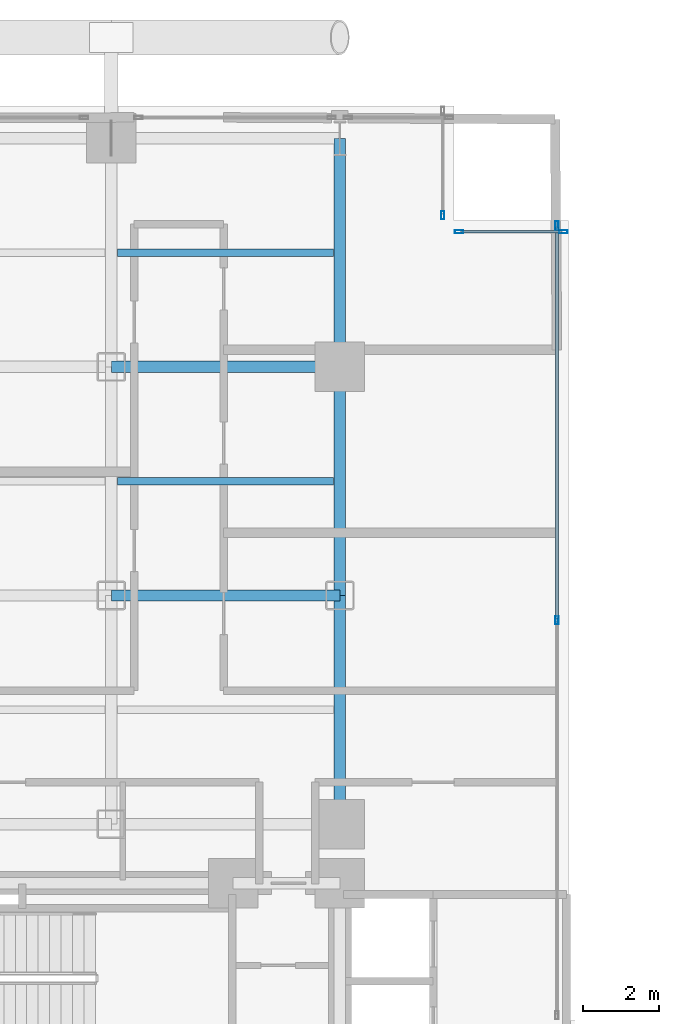
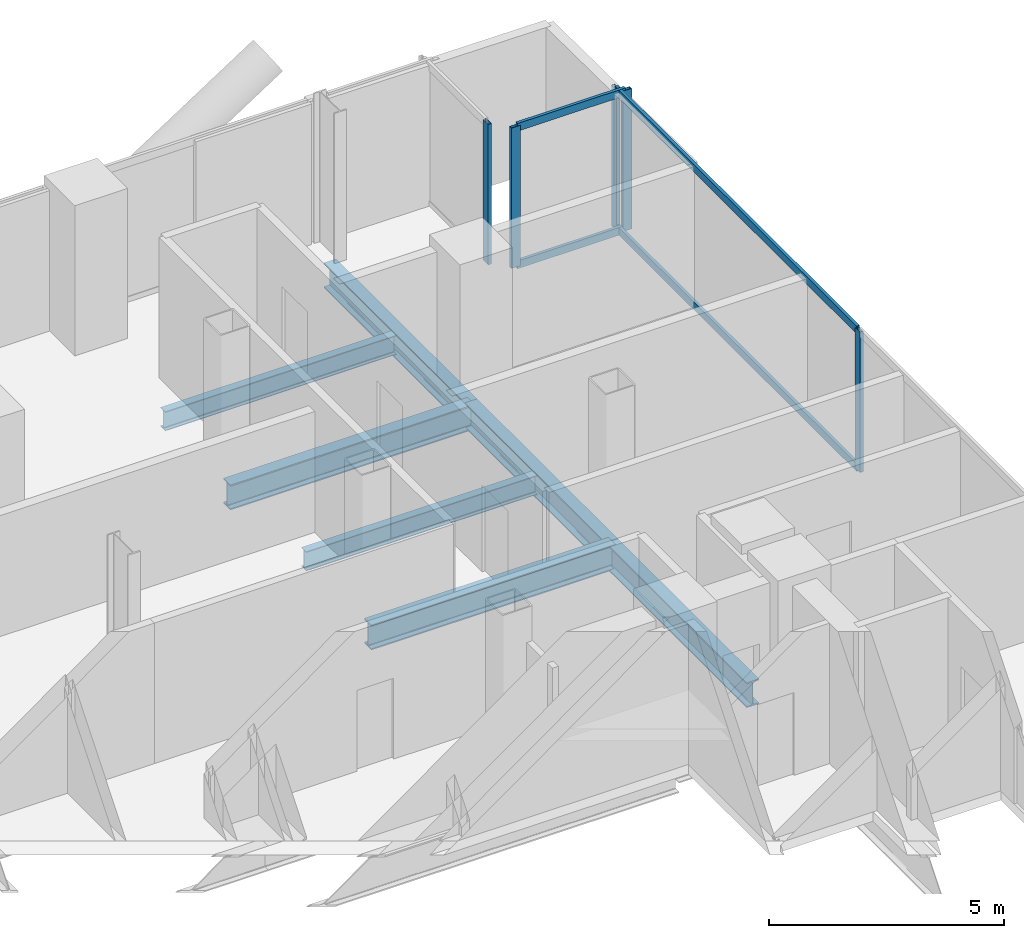
# One storey, part 15 of 25: 9 members, 7 beams, 3 elements without a shape of their own.
"""IFC4 building model written with IfcOpenShell, lengths in metres."""

from ifc_helpers import new_model, si_unit, direction, frame, origin, origin_2d, place, context, subcontext, project, spatial, hollow_rectangle, i_section, extrude, material, layer, layer_set, material_profile, profile_set, type_object, element, aggregate, save


model = new_model("IFC4")

# Units and contexts
model_context = context("Model", 3, precision=1e-05, world=origin(), true_north=direction((0.0, 1.0)))
body_context = subcontext(model_context, "Body", "Model", "MODEL_VIEW")
ifc_project = project(units=[si_unit("LENGTHUNIT", "METRE"), si_unit("AREAUNIT", "SQUARE_METRE"), si_unit("VOLUMEUNIT", "CUBIC_METRE"), si_unit("PLANEANGLEUNIT", "RADIAN"), si_unit("MASSUNIT", "GRAM", prefix="KILO"), si_unit("THERMODYNAMICTEMPERATUREUNIT", "KELVIN"), si_unit("POWERUNIT", "WATT")], contexts=[model_context])

# Site, building, storey
site_placement = place(None, origin())
site = spatial("IfcSite", under=ifc_project, at=site_placement, CompositionType="ELEMENT")
building_placement = place(site_placement, origin())
building = spatial("IfcBuilding", under=site, at=building_placement, Name="Svarakhadi Broadcast Tower", CompositionType="ELEMENT")
storey_placement = place(building_placement, frame((0.0, 0.0, 83.10009765625)))
storey = spatial("IfcBuildingStorey", under=building, at=storey_placement, Name="L19", CompositionType="ELEMENT", Elevation=83.10009765625)

# Beams
ifc_material_1 = material(Name="Steel S355J2 (IS 2062 E350C)", Category="steel")
ifc_material_profile_1 = material_profile(ifc_material_1, i_section(OverallWidth=0.199951171875, OverallDepth=0.5, WebThickness=0.01025390625, FlangeThickness=0.01611328125, FilletRadius=0.02099609375, at=origin_2d()), Name="NPB 500x200x91")
ifc_profile_set_1 = profile_set([ifc_material_profile_1], Name="Steel S355J2 (IS 2062 E350C)")
beam_type_1 = type_object("IfcBeamType", Name="Beam_NPB500", PredefinedType="BEAM", material=ifc_profile_set_1)
for number, where, z_axis, x_axis, name in (
    (1, (12.159912109375, 38.14990234375, -0.5), (1.0, 0.0, 0.0), (0.0, 1.0, 0.0), "L19 Secondary Composite Beam SB017"),
    (2, (12.159912109375, 44.14990234375, -0.5), (1.0, 0.0, 0.0), (0.0, 1.0, 0.0), "L19 Secondary Composite Beam SB018"),
):
    element("IfcBeam", number, at=place(storey_placement, frame(where, z_axis=z_axis, x_axis=x_axis)), inside=storey, type_object=beam_type_1, Name=name, PredefinedType="BEAM", context=body_context, shape_type="SweptSolid", body=[
        extrude(i_section(OverallWidth=0.199951171875, OverallDepth=0.5, WebThickness=0.01025390625, FlangeThickness=0.01611328125, FilletRadius=0.02099609375, at=origin_2d()), origin(), (0.0, 0.0, 1.0), 5.68017578125),
    ])

# Curtain wall, member
ifc_material_2 = material(Name="Anodised Bronze Aluminium AA 6063-T6", Category="aluminium")
ifc_layer = layer(ifc_material_2, 0.219970703125)
ifc_layer_set = layer_set([ifc_layer], Name="Anodised Bronze Aluminium AA 6063-T6")
curtain_wall_type = type_object("IfcCurtainWallType", Name="CW_Sys_02", PredefinedType="NOTDEFINED", material=ifc_layer_set)
curtain_wall_1_placement = place(storey_placement, origin())
curtain_wall_1 = element("IfcCurtainWall", 3, at=curtain_wall_1_placement, inside=storey, type_object=curtain_wall_type, Name="L19 Unitised Facade Curtain Wall 07", PredefinedType="NOTDEFINED")
ifc_material_profile_2 = material_profile(ifc_material_2, hollow_rectangle(XDim=0.0849609375, YDim=0.219970703125, WallThickness=0.006103515625, at=origin_2d()), Name="ALU MULLION 220x85x6")
ifc_profile_set_2 = profile_set([ifc_material_profile_2], Name="Anodised Bronze Aluminium AA 6063-T6")
member_type_1 = type_object("IfcMemberType", Name="CW_Sys_02_Mul", PredefinedType="MULLION", material=ifc_profile_set_2)
member_1_placement = place(storey_placement, frame((20.699951171875, 45.132568359375, 0.0), z_axis=(0.0, 0.0, 1.0), x_axis=(1.0, 0.0, 0.0)))
member_1 = element("IfcMember", 4, at=member_1_placement, type_object=member_type_1, Name="CW-02 mullion 2", PredefinedType="MULLION", context=body_context, shape_type="SweptSolid", body=[
    extrude(hollow_rectangle(XDim=0.0849609375, YDim=0.219970703125, WallThickness=0.006103515625, at=origin_2d()), origin(), (0.0, 0.0, 1.0), 3.64990234375),
])
aggregate(curtain_wall_1, [member_1])

# Curtain wall, members
curtain_wall_2_placement = place(storey_placement, origin())
curtain_wall_2 = element("IfcCurtainWall", 5, at=curtain_wall_2_placement, inside=storey, type_object=curtain_wall_type, Name="L19 Unitised Facade Curtain Wall 08", PredefinedType="NOTDEFINED")
member_2_placement = place(storey_placement, frame((21.132568359375, 44.699951171875, 0.0), z_axis=(0.0, 0.0, 1.0), x_axis=(0.0, 1.0, 0.0)))
member_2 = element("IfcMember", 6, at=member_2_placement, type_object=member_type_1, Name="CW-02 mullion 1", PredefinedType="MULLION", context=body_context, shape_type="SweptSolid", body=[
    extrude(hollow_rectangle(XDim=0.0849609375, YDim=0.219970703125, WallThickness=0.006103515625, at=origin_2d()), origin(), (0.0, 0.0, 1.0), 3.64990234375),
])
member_3_placement = place(storey_placement, frame((23.867431640625, 44.699951171875, 0.0), z_axis=(0.0, 0.0, 1.0), x_axis=(0.0, 1.0, 0.0)))
member_3 = element("IfcMember", 7, at=member_3_placement, type_object=member_type_1, Name="CW-02 mullion 2", PredefinedType="MULLION", context=body_context, shape_type="SweptSolid", body=[
    extrude(hollow_rectangle(XDim=0.0849609375, YDim=0.219970703125, WallThickness=0.006103515625, at=origin_2d()), origin(), (0.0, 0.0, 1.0), 3.64990234375),
])

curtain_wall_3_placement = place(storey_placement, origin())
curtain_wall_3 = element("IfcCurtainWall", 8, at=curtain_wall_3_placement, inside=storey, type_object=curtain_wall_type, Name="L19 Unitised Facade Curtain Wall 09", PredefinedType="NOTDEFINED")
member_4_placement = place(storey_placement, frame((23.699951171875, 44.867431640625, 0.0), z_axis=(0.0, 0.0, 1.0), x_axis=(1.0, 0.0, 0.0)))
member_4 = element("IfcMember", 9, at=member_4_placement, type_object=member_type_1, Name="CW-02 mullion 1", PredefinedType="MULLION", context=body_context, shape_type="SweptSolid", body=[
    extrude(hollow_rectangle(XDim=0.0849609375, YDim=0.219970703125, WallThickness=0.006103515625, at=origin_2d()), origin(), (0.0, 0.0, 1.0), 3.64990234375),
])
member_5_placement = place(storey_placement, frame((23.699951171875, 34.5, 0.0), z_axis=(0.0, 0.0, 1.0), x_axis=(1.0, 0.0, 0.0)))
member_5 = element("IfcMember", 10, at=member_5_placement, type_object=member_type_1, Name="CW-02 mullion 2", PredefinedType="MULLION", context=body_context, shape_type="SweptSolid", body=[
    extrude(hollow_rectangle(XDim=0.0849609375, YDim=0.219970703125, WallThickness=0.006103515625, at=origin_2d()), origin(), (0.0, 0.0, 1.0), 3.64990234375),
])

# Member
ifc_material_profile_3 = material_profile(ifc_material_2, hollow_rectangle(XDim=0.074951171875, YDim=0.199951171875, WallThickness=0.0048828125, at=origin_2d()), Name="ALU TRANSOM 200x75x5")
ifc_profile_set_3 = profile_set([ifc_material_profile_3], Name="Anodised Bronze Aluminium AA 6063-T6")
member_type_2 = type_object("IfcMemberType", Name="CW_Sys_02_Trn", PredefinedType="USERDEFINED", material=ifc_profile_set_3)
member_6_placement = place(storey_placement, frame((21.175048828125, 44.699951171875, 0.037353515625), z_axis=(1.0, 0.0, 0.0), x_axis=(0.0, 1.0, 0.0)))
member_6 = element("IfcMember", 11, at=member_6_placement, type_object=member_type_2, Name="CW-02 transom 1.1", ObjectType="TRANSOM", PredefinedType="USERDEFINED", context=body_context, shape_type="SweptSolid", body=[
    extrude(hollow_rectangle(XDim=0.074951171875, YDim=0.199951171875, WallThickness=0.0048828125, at=origin_2d()), origin(), (0.0, 0.0, 1.0), 2.64990234375),
])

member_7_placement = place(storey_placement, frame((21.175048828125, 44.699951171875, 3.6123046875), z_axis=(1.0, 0.0, 0.0), x_axis=(0.0, 1.0, 0.0)))
member_7 = element("IfcMember", 12, at=member_7_placement, type_object=member_type_2, Name="CW-02 transom 1.2", ObjectType="TRANSOM", PredefinedType="USERDEFINED", context=body_context, shape_type="SweptSolid", body=[
    extrude(hollow_rectangle(XDim=0.074951171875, YDim=0.199951171875, WallThickness=0.0048828125, at=origin_2d()), origin(), (0.0, 0.0, 1.0), 2.64990234375),
])

aggregate(curtain_wall_2, [member_2, member_3, member_6, member_7])

member_8_placement = place(storey_placement, frame((23.699951171875, 44.824951171875, 0.037353515625), z_axis=(0.0, -1.0, 0.0), x_axis=(1.0, 0.0, 0.0)))
member_8 = element("IfcMember", 13, at=member_8_placement, type_object=member_type_2, Name="CW-02 transom 1.1", ObjectType="TRANSOM", PredefinedType="USERDEFINED", context=body_context, shape_type="SweptSolid", body=[
    extrude(hollow_rectangle(XDim=0.074951171875, YDim=0.199951171875, WallThickness=0.0048828125, at=origin_2d()), origin(), (0.0, 0.0, 1.0), 10.282470703125),
])

member_9_placement = place(storey_placement, frame((23.699951171875, 44.824951171875, 3.6123046875), z_axis=(0.0, -1.0, 0.0), x_axis=(1.0, 0.0, 0.0)))
member_9 = element("IfcMember", 14, at=member_9_placement, type_object=member_type_2, Name="CW-02 transom 1.2", ObjectType="TRANSOM", PredefinedType="USERDEFINED", context=body_context, shape_type="SweptSolid", body=[
    extrude(hollow_rectangle(XDim=0.074951171875, YDim=0.199951171875, WallThickness=0.0048828125, at=origin_2d()), origin(), (0.0, 0.0, 1.0), 10.282470703125),
])

aggregate(curtain_wall_3, [member_4, member_5, member_8, member_9])

# Beams
ifc_material_profile_4 = material_profile(ifc_material_1, i_section(OverallWidth=0.300048828125, OverallDepth=0.64990234375, WebThickness=0.01611328125, FlangeThickness=0.031005859375, FilletRadius=0.027099609375, at=origin_2d()), Name="WPB 650x300x225")
ifc_profile_set_4 = profile_set([ifc_material_profile_4], Name="Steel S355J2 (IS 2062 E350C)")
beam_type_2 = type_object("IfcBeamType", Name="Girder_WPB650", PredefinedType="USERDEFINED", material=ifc_profile_set_4)
for number, where, z_axis, x_axis, name in (
    (15, (12.0, 35.14990234375, -0.5751953125), (1.0, 0.0, 0.0), (0.0, 1.0, 0.0), "L19 Primary E-W Girder G039"),
    (16, (12.0, 41.14990234375, -0.5751953125), (1.0, 0.0, 0.0), (0.0, 1.0, 0.0), "L19 Primary E-W Girder G042"),
    (17, (18.0, 29.14990234375, -0.5751953125), (0.0, 1.0, 0.0), (-1.0, 0.0, 0.0), "L19 Primary N-S Girder G068"),
    (18, (18.0, 35.14990234375, -0.5751953125), (0.0, 1.0, 0.0), (-1.0, 0.0, 0.0), "L19 Primary N-S Girder G069"),
    (19, (18.0, 41.14990234375, -0.5751953125), (0.0, 1.0, 0.0), (-1.0, 0.0, 0.0), "L19 Primary N-S Girder G070"),
):
    element("IfcBeam", number, at=place(storey_placement, frame(where, z_axis=z_axis, x_axis=x_axis)), inside=storey, type_object=beam_type_2, Name=name, ObjectType="GIRDER", PredefinedType="USERDEFINED", context=body_context, shape_type="SweptSolid", body=[
        extrude(i_section(OverallWidth=0.300048828125, OverallDepth=0.64990234375, WebThickness=0.01611328125, FlangeThickness=0.031005859375, FilletRadius=0.027099609375, at=origin_2d()), origin(), (0.0, 0.0, 1.0), 6.0),
    ])

save(model, "model.ifc")
